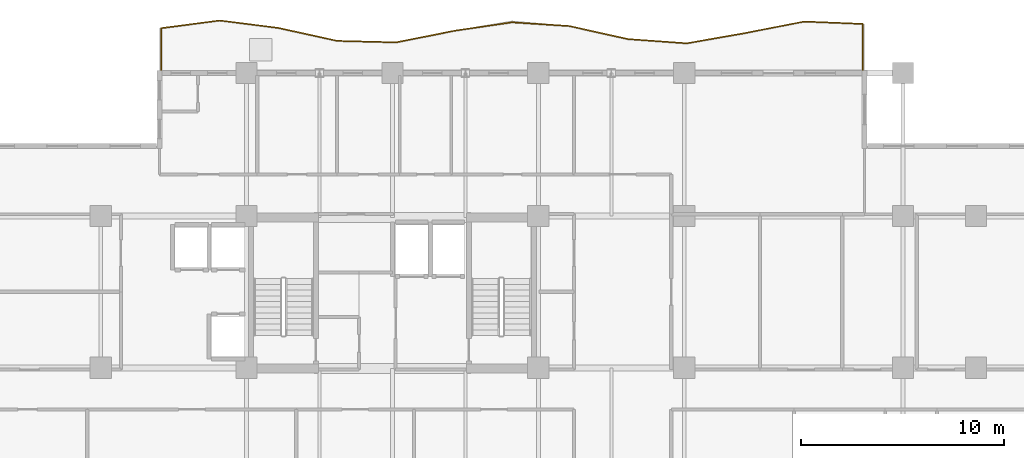
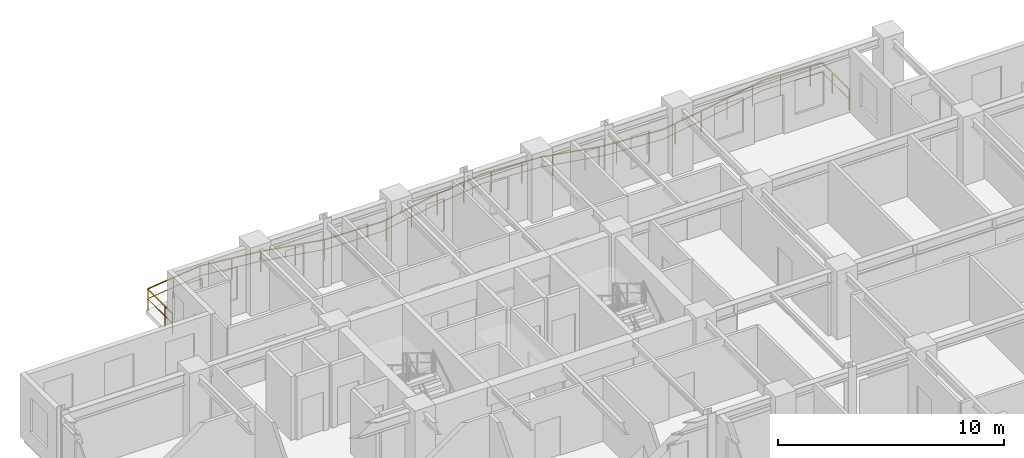
# One storey, part 13 of 13: 1 railing.
"""IFC4 building model written with IfcOpenShell, lengths in metres."""

from ifc_helpers import new_model, si_unit, direction, frame, origin, origin_2d, place, context, subcontext, project, spatial, rectangle, extrude, material, type_object, element, save


model = new_model("IFC4")

# Units and contexts
model_context = context("Model", 3, precision=1e-05, world=origin(), true_north=direction((0.0, 1.0)))
body_context = subcontext(model_context, "Body", "Model", "MODEL_VIEW")
ifc_project = project(units=[si_unit("LENGTHUNIT", "METRE"), si_unit("AREAUNIT", "SQUARE_METRE"), si_unit("VOLUMEUNIT", "CUBIC_METRE"), si_unit("PLANEANGLEUNIT", "RADIAN"), si_unit("MASSUNIT", "GRAM", prefix="KILO")], contexts=[model_context])

# Site, building, storey
site_placement = place(None, origin())
site = spatial("IfcSite", under=ifc_project, at=site_placement, CompositionType="ELEMENT")
building_placement = place(site_placement, origin())
building = spatial("IfcBuilding", under=site, at=building_placement, Name="Kaliganga Portal Commons", CompositionType="ELEMENT")
storey_placement = place(building_placement, frame((0.0, 0.0, 180.89990234375)))
storey = spatial("IfcBuildingStorey", under=building, at=storey_placement, Name="L46", CompositionType="ELEMENT", Elevation=180.89990234375)

# Railing
ifc_material = material(Name="Laminated Safety Glass and Stainless Steel 316", Category="steel")
railing_type = type_object("IfcRailingType", Name="RLG-BAL-1150", PredefinedType="BALUSTRADE", material=ifc_material)
railing_placement = place(storey_placement, frame((44.8203125, 43.208251953125, 0.0)))
element("IfcRailing", 1, at=railing_placement, inside=storey, type_object=railing_type, Name="Balcony Guardrail L46 balc_north", PredefinedType="BALUSTRADE", context=body_context, shape_type="SweptSolid", body=[
    extrude(rectangle(XDim=0.048095703125, YDim=0.048095703125, at=origin_2d()), frame((0.0, 0.0, 1.1259765625), z_axis=(-0.000100908173, 0.999999994909, 0.0), x_axis=(-0.999999994909, -0.000100908173, 0.0)), (0.0, 0.0, 1.0), 2.41943359375),
    extrude(rectangle(XDim=0.028076171875, YDim=0.028076171875, at=origin_2d()), frame((0.0, 0.0, 0.597900390625), z_axis=(-0.000100908173, 0.999999994909, 0.0), x_axis=(-0.999999994909, -0.000100908173, 0.0)), (0.0, 0.0, 1.0), 2.41943359375),
    extrude(rectangle(XDim=0.048095703125, YDim=0.048095703125, at=origin_2d()), frame((-0.000244140625, 2.41943359375, 1.1259765625), z_axis=(-0.999204716953, 0.039873971699, 0.0), x_axis=(-0.039873971699, -0.999204716953, 0.0)), (0.0, 0.0, 1.0), 2.902099609375),
    extrude(rectangle(XDim=0.028076171875, YDim=0.028076171875, at=origin_2d()), frame((-0.000244140625, 2.41943359375, 0.597900390625), z_axis=(-0.999204716953, 0.039873971699, 0.0), x_axis=(-0.039873971699, -0.999204716953, 0.0)), (0.0, 0.0, 1.0), 2.902099609375),
    extrude(rectangle(XDim=0.048095703125, YDim=0.048095703125, at=origin_2d()), frame((-2.900146484375, 2.53515625, 1.1259765625), z_axis=(-0.981519369973, -0.19136281344, 0.0), x_axis=(0.19136281344, -0.981519369973, 0.0)), (0.0, 0.0, 1.0), 2.954833984375),
    extrude(rectangle(XDim=0.028076171875, YDim=0.028076171875, at=origin_2d()), frame((-2.900146484375, 2.53515625, 0.597900390625), z_axis=(-0.981519369973, -0.19136281344, 0.0), x_axis=(0.19136281344, -0.981519369973, 0.0)), (0.0, 0.0, 1.0), 2.954833984375),
    extrude(rectangle(XDim=0.048095703125, YDim=0.048095703125, at=origin_2d()), frame((-5.80029296875, 1.9697265625, 1.1259765625), z_axis=(-0.984955043748, -0.172810768747, 0.0), x_axis=(0.172810768747, -0.984955043748, 0.0)), (0.0, 0.0, 1.0), 2.944091796875),
    extrude(rectangle(XDim=0.028076171875, YDim=0.028076171875, at=origin_2d()), frame((-5.80029296875, 1.9697265625, 0.597900390625), z_axis=(-0.984955043748, -0.172810768747, 0.0), x_axis=(0.172810768747, -0.984955043748, 0.0)), (0.0, 0.0, 1.0), 2.944091796875),
    extrude(rectangle(XDim=0.048095703125, YDim=0.048095703125, at=origin_2d()), frame((-8.7001953125, 1.4609375, 1.1259765625), z_axis=(-0.99740772775, 0.071957102675, 0.0), x_axis=(-0.071957102675, -0.99740772775, 0.0)), (0.0, 0.0, 1.0), 2.90771484375),
    extrude(rectangle(XDim=0.028076171875, YDim=0.028076171875, at=origin_2d()), frame((-8.7001953125, 1.4609375, 0.597900390625), z_axis=(-0.99740772775, 0.071957102675, 0.0), x_axis=(-0.071957102675, -0.99740772775, 0.0)), (0.0, 0.0, 1.0), 2.90771484375),
    extrude(rectangle(XDim=0.048095703125, YDim=0.048095703125, at=origin_2d()), frame((-11.600341796875, 1.670166015625, 1.1259765625), z_axis=(-0.97619479789, 0.216895635209, 0.0), x_axis=(-0.216895635209, -0.97619479789, 0.0)), (0.0, 0.0, 1.0), 2.969482421875),
    extrude(rectangle(XDim=0.028076171875, YDim=0.028076171875, at=origin_2d()), frame((-11.600341796875, 1.670166015625, 0.597900390625), z_axis=(-0.97619479789, 0.216895635209, 0.0), x_axis=(-0.216895635209, -0.97619479789, 0.0)), (0.0, 0.0, 1.0), 2.969482421875),
    extrude(rectangle(XDim=0.048095703125, YDim=0.048095703125, at=origin_2d()), frame((-14.4990234375, 2.314208984375, 1.1259765625), z_axis=(-0.997889360967, 0.064937071603, 0.0), x_axis=(-0.064937071603, -0.997889360967, 0.0)), (0.0, 0.0, 1.0), 2.8271484375),
    extrude(rectangle(XDim=0.028076171875, YDim=0.028076171875, at=origin_2d()), frame((-14.4990234375, 2.314208984375, 0.597900390625), z_axis=(-0.997889360967, 0.064937071603, 0.0), x_axis=(-0.064937071603, -0.997889360967, 0.0)), (0.0, 0.0, 1.0), 2.8271484375),
    extrude(rectangle(XDim=0.048095703125, YDim=0.048095703125, at=origin_2d()), frame((-17.3203125, 2.497802734375, 1.1259765625), z_axis=(-0.989406222497, -0.145173437252, 0.0), x_axis=(0.145173437252, -0.989406222497, 0.0)), (0.0, 0.0, 1.0), 2.8505859375),
    extrude(rectangle(XDim=0.028076171875, YDim=0.028076171875, at=origin_2d()), frame((-17.3203125, 2.497802734375, 0.597900390625), z_axis=(-0.989406222497, -0.145173437252, 0.0), x_axis=(0.145173437252, -0.989406222497, 0.0)), (0.0, 0.0, 1.0), 2.8505859375),
    extrude(rectangle(XDim=0.048095703125, YDim=0.048095703125, at=origin_2d()), frame((-20.140625, 2.083984375, 1.1259765625), z_axis=(-0.98081183238, -0.194956788706, 0.0), x_axis=(0.194956788706, -0.98081183238, 0.0)), (0.0, 0.0, 1.0), 2.95654296875),
    extrude(rectangle(XDim=0.028076171875, YDim=0.028076171875, at=origin_2d()), frame((-20.140625, 2.083984375, 0.597900390625), z_axis=(-0.98081183238, -0.194956788706, 0.0), x_axis=(0.194956788706, -0.98081183238, 0.0)), (0.0, 0.0, 1.0), 2.95654296875),
    extrude(rectangle(XDim=0.048095703125, YDim=0.048095703125, at=origin_2d()), frame((-23.04052734375, 1.507568359375, 1.1259765625), z_axis=(-0.999676937349, 0.025416941832, 0.0), x_axis=(-0.025416941832, -0.999676937349, 0.0)), (0.0, 0.0, 1.0), 2.90087890625),
    extrude(rectangle(XDim=0.028076171875, YDim=0.028076171875, at=origin_2d()), frame((-23.04052734375, 1.507568359375, 0.597900390625), z_axis=(-0.999676937349, 0.025416941832, 0.0), x_axis=(-0.025416941832, -0.999676937349, 0.0)), (0.0, 0.0, 1.0), 2.90087890625),
    extrude(rectangle(XDim=0.048095703125, YDim=0.048095703125, at=origin_2d()), frame((-25.9404296875, 1.581298828125, 1.1259765625), z_axis=(-0.976750643152, 0.214378592919, 0.0), x_axis=(-0.214378592919, -0.976750643152, 0.0)), (0.0, 0.0, 1.0), 2.968994140625),
    extrude(rectangle(XDim=0.028076171875, YDim=0.028076171875, at=origin_2d()), frame((-25.9404296875, 1.581298828125, 0.597900390625), z_axis=(-0.976750643152, 0.214378592919, 0.0), x_axis=(-0.214378592919, -0.976750643152, 0.0)), (0.0, 0.0, 1.0), 2.968994140625),
    extrude(rectangle(XDim=0.048095703125, YDim=0.048095703125, at=origin_2d()), frame((-28.84033203125, 2.2177734375, 1.1259765625), z_axis=(-0.991975647799, 0.12642908753, 0.0), x_axis=(-0.12642908753, -0.991975647799, 0.0)), (0.0, 0.0, 1.0), 2.923583984375),
    extrude(rectangle(XDim=0.028076171875, YDim=0.028076171875, at=origin_2d()), frame((-28.84033203125, 2.2177734375, 0.597900390625), z_axis=(-0.991975647799, 0.12642908753, 0.0), x_axis=(-0.12642908753, -0.991975647799, 0.0)), (0.0, 0.0, 1.0), 2.923583984375),
    extrude(rectangle(XDim=0.048095703125, YDim=0.048095703125, at=origin_2d()), frame((-31.740478515625, 2.58740234375, 1.1259765625), z_axis=(-0.991517820965, -0.129970807143, 0.0), x_axis=(0.129970807143, -0.991517820965, 0.0)), (0.0, 0.0, 1.0), 2.9248046875),
    extrude(rectangle(XDim=0.028076171875, YDim=0.028076171875, at=origin_2d()), frame((-31.740478515625, 2.58740234375, 0.597900390625), z_axis=(-0.991517820965, -0.129970807143, 0.0), x_axis=(0.129970807143, -0.991517820965, 0.0)), (0.0, 0.0, 1.0), 2.9248046875),
    extrude(rectangle(XDim=0.048095703125, YDim=0.048095703125, at=origin_2d()), frame((-34.640380859375, 2.207275390625, 1.1259765625), z_axis=(-0.000110607233, -0.999999993883, 0.0), x_axis=(0.999999993883, -0.000110607233, 0.0)), (0.0, 0.0, 1.0), 2.207275390625),
    extrude(rectangle(XDim=0.028076171875, YDim=0.028076171875, at=origin_2d()), frame((-34.640380859375, 2.207275390625, 0.597900390625), z_axis=(-0.000110607233, -0.999999993883, 0.0), x_axis=(0.999999993883, -0.000110607233, 0.0)), (0.0, 0.0, 1.0), 2.207275390625),
    extrude(rectangle(XDim=0.0419921875, YDim=0.0419921875, at=origin_2d()), origin(), (0.0, 0.0, 1.0), 1.101806640625),
    extrude(rectangle(XDim=0.0419921875, YDim=0.0419921875, at=origin_2d()), frame((-0.000244140625, 1.5, 0.0)), (0.0, 0.0, 1.0), 1.101806640625),
    extrude(rectangle(XDim=0.0419921875, YDim=0.0419921875, at=origin_2d()), frame((-0.580322265625, 2.442626953125, 0.0)), (0.0, 0.0, 1.0), 1.101806640625),
    extrude(rectangle(XDim=0.0419921875, YDim=0.0419921875, at=origin_2d()), frame((-2.0791015625, 2.50244140625, 0.0)), (0.0, 0.0, 1.0), 1.101806640625),
    extrude(rectangle(XDim=0.0419921875, YDim=0.0419921875, at=origin_2d()), frame((-3.56591796875, 2.4052734375, 0.0)), (0.0, 0.0, 1.0), 1.101806640625),
    extrude(rectangle(XDim=0.0419921875, YDim=0.0419921875, at=origin_2d()), frame((-5.038330078125, 2.118408203125, 0.0)), (0.0, 0.0, 1.0), 1.101806640625),
    extrude(rectangle(XDim=0.0419921875, YDim=0.0419921875, at=origin_2d()), frame((-6.512939453125, 1.8447265625, 0.0)), (0.0, 0.0, 1.0), 1.101806640625),
    extrude(rectangle(XDim=0.0419921875, YDim=0.0419921875, at=origin_2d()), frame((-7.990478515625, 1.58544921875, 0.0)), (0.0, 0.0, 1.0), 1.101806640625),
    extrude(rectangle(XDim=0.0419921875, YDim=0.0419921875, at=origin_2d()), frame((-9.4775390625, 1.51708984375, 0.0)), (0.0, 0.0, 1.0), 1.101806640625),
    extrude(rectangle(XDim=0.0419921875, YDim=0.0419921875, at=origin_2d()), frame((-10.9736328125, 1.625, 0.0)), (0.0, 0.0, 1.0), 1.101806640625),
    extrude(rectangle(XDim=0.0419921875, YDim=0.0419921875, at=origin_2d()), frame((-12.451416015625, 1.859130859375, 0.0)), (0.0, 0.0, 1.0), 1.101806640625),
    extrude(rectangle(XDim=0.0419921875, YDim=0.0419921875, at=origin_2d()), frame((-13.91552734375, 2.1845703125, 0.0)), (0.0, 0.0, 1.0), 1.101806640625),
    extrude(rectangle(XDim=0.0419921875, YDim=0.0419921875, at=origin_2d()), frame((-15.3994140625, 2.372802734375, 0.0)), (0.0, 0.0, 1.0), 1.101806640625),
    extrude(rectangle(XDim=0.0419921875, YDim=0.0419921875, at=origin_2d()), frame((-16.896240234375, 2.47021484375, 0.0)), (0.0, 0.0, 1.0), 1.101806640625),
    extrude(rectangle(XDim=0.0419921875, YDim=0.0419921875, at=origin_2d()), frame((-18.384033203125, 2.341796875, 0.0)), (0.0, 0.0, 1.0), 1.101806640625),
    extrude(rectangle(XDim=0.0419921875, YDim=0.0419921875, at=origin_2d()), frame((-19.8681640625, 2.1240234375, 0.0)), (0.0, 0.0, 1.0), 1.101806640625),
    extrude(rectangle(XDim=0.0419921875, YDim=0.0419921875, at=origin_2d()), frame((-21.341796875, 1.84521484375, 0.0)), (0.0, 0.0, 1.0), 1.101806640625),
    extrude(rectangle(XDim=0.0419921875, YDim=0.0419921875, at=origin_2d()), frame((-22.81298828125, 1.552734375, 0.0)), (0.0, 0.0, 1.0), 1.101806640625),
    extrude(rectangle(XDim=0.0419921875, YDim=0.0419921875, at=origin_2d()), frame((-24.30810546875, 1.539794921875, 0.0)), (0.0, 0.0, 1.0), 1.101806640625),
    extrude(rectangle(XDim=0.0419921875, YDim=0.0419921875, at=origin_2d()), frame((-25.9404296875, 1.581298828125, 0.0)), (0.0, 0.0, 1.0), 1.101806640625),
    extrude(rectangle(XDim=0.0419921875, YDim=0.0419921875, at=origin_2d()), frame((-27.27587890625, 1.874267578125, 0.0)), (0.0, 0.0, 1.0), 1.101806640625),
    extrude(rectangle(XDim=0.0419921875, YDim=0.0419921875, at=origin_2d()), frame((-28.84033203125, 2.2177734375, 0.0)), (0.0, 0.0, 1.0), 1.101806640625),
    extrude(rectangle(XDim=0.0419921875, YDim=0.0419921875, at=origin_2d()), frame((-30.227294921875, 2.39453125, 0.0)), (0.0, 0.0, 1.0), 1.101806640625),
    extrude(rectangle(XDim=0.0419921875, YDim=0.0419921875, at=origin_2d()), frame((-31.740478515625, 2.58740234375, 0.0)), (0.0, 0.0, 1.0), 1.101806640625),
    extrude(rectangle(XDim=0.0419921875, YDim=0.0419921875, at=origin_2d()), frame((-33.20263671875, 2.395751953125, 0.0)), (0.0, 0.0, 1.0), 1.101806640625),
    extrude(rectangle(XDim=0.0419921875, YDim=0.0419921875, at=origin_2d()), frame((-34.640380859375, 2.157470703125, 0.0)), (0.0, 0.0, 1.0), 1.101806640625),
    extrude(rectangle(XDim=0.0419921875, YDim=0.0419921875, at=origin_2d()), frame((-34.640625, 0.657470703125, 0.0)), (0.0, 0.0, 1.0), 1.101806640625),
    extrude(rectangle(XDim=0.0419921875, YDim=0.0419921875, at=origin_2d()), frame((-34.640625, 0.0, 0.0)), (0.0, 0.0, 1.0), 1.101806640625),
])

save(model, "model.ifc")
